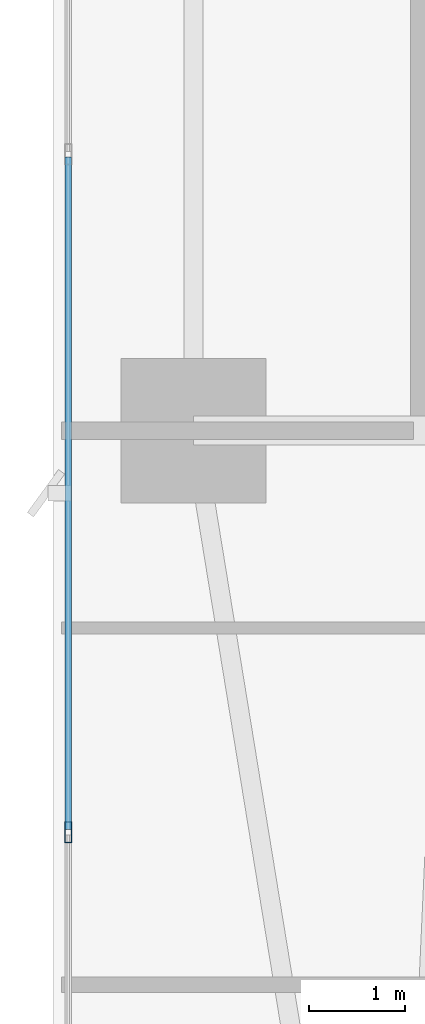
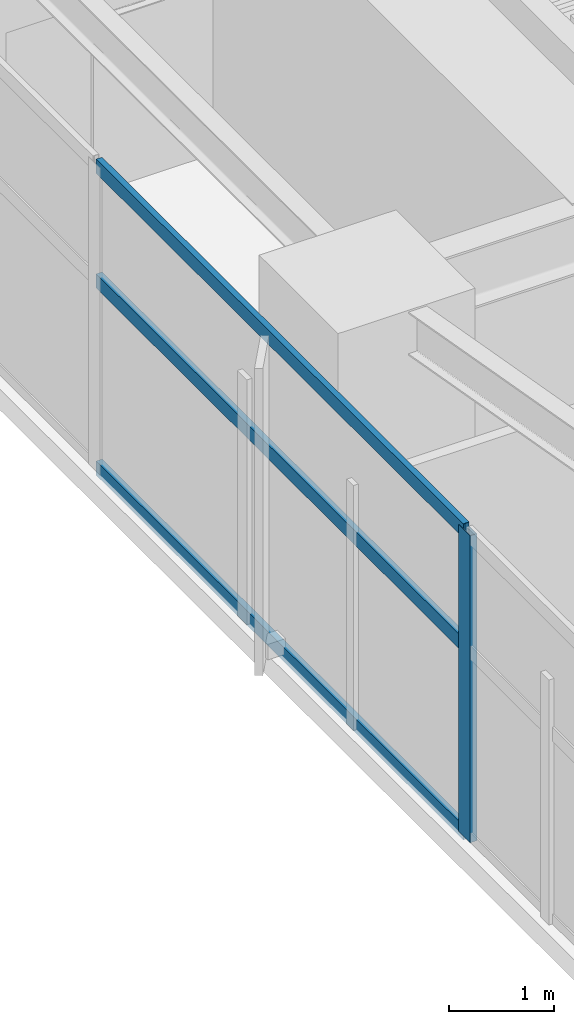
# One storey, part 4 of 29: 4 members, 1 element without a shape of its own.
"""IFC4 building model written with IfcOpenShell, lengths in metres."""

import ifcopenshell
import ifcopenshell.guid

model = None  # the IFC model being written
_history = None  # IfcOwnerHistory: only IFC2X3 demands one
_inside = {}  # id of a spatial element -> (the spatial element, [elements in it])
_under = {}  # id of a project, library or spatial element -> (it, [spatial elements below it])
_declared = {}  # id of a project -> (the project, [libraries it declares])
_typed = {}  # id of a type object -> (the type object, [elements of that type])
_made_of = {}  # id of a material, layer set ... -> (it, [elements and type objects made of it])


def new_model(schema):
    """Start an empty IFC model of exactly this schema.

    Asked for "IFC4X3", IfcOpenShell would pick the latest addendum, in which some entities
    have other attributes; the version numbers below select the first issue.
    IFC2X3 requires an IfcOwnerHistory on every rooted entity: one is made here for all.
    """
    global model, _history
    if schema == "IFC4X3":
        model = ifcopenshell.file(schema_version=(4, 3, 0, 0))
    else:
        model = ifcopenshell.file(schema=schema)
    _inside.clear()
    _under.clear()
    _declared.clear()
    _typed.clear()
    _made_of.clear()
    _history = None
    if model.schema == "IFC2X3":
        org = make("IfcOrganization", Name="unknown")
        user = make(
            "IfcPersonAndOrganization",
            ThePerson=make("IfcPerson", FamilyName="unknown"),
            TheOrganization=org,
        )
        app = make(
            "IfcApplication",
            ApplicationDeveloper=org,
            Version="unknown",
            ApplicationFullName="unknown",
            ApplicationIdentifier="unknown",
        )
        _history = make(
            "IfcOwnerHistory",
            OwningUser=user,
            OwningApplication=app,
            ChangeAction="ADDED",
            CreationDate=0,
        )
    return model


def make(cls, **values):
    """One entity of the class cls with the attributes given. An attribute that is None is left unset."""
    return model.create_entity(
        cls, **{name: value for name, value in values.items() if value is not None}
    )


def rooted(cls, **values):
    """An entity with a GlobalId (a new one), such as an element, a storey or a relation."""
    return make(cls, GlobalId=ifcopenshell.guid.new(), OwnerHistory=_history, **values)


def si_unit(unit_type, name, prefix=None):
    """IfcSIUnit, for example si_unit("LENGTHUNIT", "METRE", prefix="MILLI")."""
    return make("IfcSIUnit", UnitType=unit_type, Prefix=prefix, Name=name)


def assignment(units):
    """IfcUnitAssignment: the units of a project."""
    return None if units is None else make("IfcUnitAssignment", Units=units)


def point(xyz):
    """IfcCartesianPoint."""
    return None if xyz is None else make("IfcCartesianPoint", Coordinates=xyz)


def direction(xyz):
    """IfcDirection."""
    return None if xyz is None else make("IfcDirection", DirectionRatios=xyz)


def frame(location, z_axis=None, x_axis=None):
    """IfcAxis2Placement3D, a coordinate frame: its origin and axes. An axis left out is left unset."""
    return make(
        "IfcAxis2Placement3D",
        Location=point(location),
        Axis=direction(z_axis),
        RefDirection=direction(x_axis),
    )


def frame_2d(location, x_axis=None):
    """IfcAxis2Placement2D, a coordinate frame in the plane: its origin and x axis."""
    return make(
        "IfcAxis2Placement2D", Location=point(location), RefDirection=direction(x_axis)
    )


def origin():
    """The frame at (0, 0, 0) with its axes left unset."""
    return frame((0.0, 0.0, 0.0))


def origin_2d():
    """The frame at (0, 0) in the plane with its x axis left unset."""
    return frame_2d((0.0, 0.0))


def place(relative_to, where):
    """IfcLocalPlacement: puts the frame where relative to a parent placement (None: the world)."""
    return make(
        "IfcLocalPlacement", PlacementRelTo=relative_to, RelativePlacement=where
    )


def context(
    kind, dimensions, precision=None, world=None, true_north=None, identifier=None
):
    """IfcGeometricRepresentationContext, for example the 3D "Model" context."""
    return make(
        "IfcGeometricRepresentationContext",
        ContextIdentifier=identifier,
        ContextType=kind,
        CoordinateSpaceDimension=dimensions,
        Precision=precision,
        WorldCoordinateSystem=world,
        TrueNorth=true_north,
    )


def subcontext(parent, identifier, kind, view, scale=None):
    """IfcGeometricRepresentationSubContext, for example "Body" below "Model"."""
    return make(
        "IfcGeometricRepresentationSubContext",
        ContextIdentifier=identifier,
        ContextType=kind,
        ParentContext=parent,
        TargetScale=scale,
        TargetView=view,
    )


def project(units=None, contexts=None):
    """IfcProject with its units and contexts."""
    return rooted(
        "IfcProject",
        Name="project",
        RepresentationContexts=contexts,
        UnitsInContext=assignment(units),
    )


def spatial(cls, under=None, at=None, **own):
    """A site, building, storey or space (cls), placed at a placement, below another one or the project."""
    s = rooted(cls, ObjectPlacement=at, **own)
    if under is not None:
        _under.setdefault(under.id(), (under, []))[1].append(s)
    return s


def profile(cls, at=None, kind="AREA", **sizes):
    """A parametric profile (cls). Its sizes go by their IFC names, for example OverallWidth=200.0."""
    return make(cls, ProfileType=kind, Position=at, **sizes)


def hollow_rectangle(**sizes):
    """IfcRectangleHollowProfileDef."""
    return profile("IfcRectangleHollowProfileDef", **sizes)


def extrude(swept, where, along, depth):
    """IfcExtrudedAreaSolid: the profile swept, set in the frame where, extruded along a direction by depth."""
    return make(
        "IfcExtrudedAreaSolid",
        SweptArea=swept,
        Position=where,
        ExtrudedDirection=direction(along),
        Depth=depth,
    )


def shape(context_of_items, identifier, shape_type, items):
    """IfcShapeRepresentation: the items that make up one representation, for example the "Body"."""
    return make(
        "IfcShapeRepresentation",
        ContextOfItems=context_of_items,
        RepresentationIdentifier=identifier,
        RepresentationType=shape_type,
        Items=items,
    )


def material(Name=None, Category=None):
    """IfcMaterial."""
    return make("IfcMaterial", Name=Name, Category=Category)


def layer(
    of_material, thickness, ventilated=None, Name=None, Category=None, Priority=None
):
    """IfcMaterialLayer: one layer of a wall or slab, of a material (None: an air gap)."""
    return make(
        "IfcMaterialLayer",
        Material=of_material,
        LayerThickness=thickness,
        IsVentilated=ventilated,
        Name=Name,
        Category=Category,
        Priority=Priority,
    )


def layer_set(layers, Name=None):
    """IfcMaterialLayerSet."""
    return make("IfcMaterialLayerSet", MaterialLayers=layers, LayerSetName=Name)


def material_profile(
    of_material, cross_section, Name=None, Category=None, Priority=None
):
    """IfcMaterialProfile: a cross section and its material."""
    return make(
        "IfcMaterialProfile",
        Name=Name,
        Material=of_material,
        Profile=cross_section,
        Priority=Priority,
        Category=Category,
    )


def profile_set(profiles, Name=None, composite=None):
    """IfcMaterialProfileSet."""
    return make(
        "IfcMaterialProfileSet",
        Name=Name,
        MaterialProfiles=profiles,
        CompositeProfile=composite,
    )


def made_of(thing, what):
    """Note that an element or type object is made of a material, layer set ...; save() writes the relation."""
    if what is not None:
        _made_of.setdefault(what.id(), (what, []))[1].append(thing)
    return thing


def type_object(cls, material=None, **own):
    """A type object (cls), such as IfcWallType, which elements share."""
    return made_of(rooted(cls, **own), material)


def element(
    cls,
    number,
    at=None,
    inside=None,
    cuts=None,
    type_object=None,
    material=None,
    context=None,
    identifier="Body",
    shape_type=None,
    held_by="IfcProductDefinitionShape",
    body=None,
    shapes=None,
    **own,
):
    """One element of the class cls, such as IfcWall. Its Tag is "e" and its number.

    at: its placement. inside: the storey or other place that contains it. cuts: it is an
    opening in that element (IfcRelVoidsElement). A single representation is given by context,
    identifier, shape_type and body (its items); several are given by shapes. held_by: the class
    of the entity that holds the representations. save() writes the other relations.
    """
    e = rooted(cls, Tag="e%d" % number, ObjectPlacement=at, **own)
    if body is not None:
        shapes = [shape(context, identifier, shape_type, body)]
    if shapes is not None:
        e.Representation = make(held_by, Representations=shapes)
    if inside is not None:
        _inside.setdefault(inside.id(), (inside, []))[1].append(e)
    if cuts is not None:
        rooted(
            "IfcRelVoidsElement", RelatingBuildingElement=cuts, RelatedOpeningElement=e
        )
    if type_object is not None:
        _typed.setdefault(type_object.id(), (type_object, []))[1].append(e)
    return made_of(e, material)


def aggregate(whole, parts):
    """IfcRelAggregates: a whole, such as a stair, and the parts it consists of."""
    return rooted("IfcRelAggregates", RelatingObject=whole, RelatedObjects=parts)


def save(model, path):
    """Write the relations noted so far, then the file.

    IfcRelAggregates (storeys below a building ...), IfcRelContainedInSpatialStructure (elements
    in a storey), IfcRelDefinesByType, IfcRelAssociatesMaterial and IfcRelDeclares: one each for
    every whole, place, type object, material and project.
    """
    for whole, parts in _under.values():
        aggregate(whole, parts)
    for where, things in _inside.values():
        rooted(
            "IfcRelContainedInSpatialStructure",
            RelatedElements=things,
            RelatingStructure=where,
        )
    for kind, things in _typed.values():
        rooted("IfcRelDefinesByType", RelatedObjects=things, RelatingType=kind)
    for what, things in _made_of.values():
        rooted("IfcRelAssociatesMaterial", RelatedObjects=things, RelatingMaterial=what)
    for by, libraries in _declared.values():
        rooted("IfcRelDeclares", RelatingContext=by, RelatedDefinitions=libraries)
    model.write(path)


model = new_model("IFC4")

# Units and contexts
model_context = context("Model", 3, precision=1e-05, world=origin(), true_north=direction((0.0, 1.0)))
body_context = subcontext(model_context, "Body", "Model", "MODEL_VIEW")
ifc_project = project(units=[si_unit("LENGTHUNIT", "METRE"), si_unit("AREAUNIT", "SQUARE_METRE"), si_unit("VOLUMEUNIT", "CUBIC_METRE"), si_unit("PLANEANGLEUNIT", "RADIAN"), si_unit("MASSUNIT", "GRAM", prefix="KILO")], contexts=[model_context])

# Site, building, storey
site_placement = place(None, origin())
site = spatial("IfcSite", under=ifc_project, at=site_placement, CompositionType="ELEMENT")
building_placement = place(site_placement, origin())
building = spatial("IfcBuilding", under=site, at=building_placement, Name="Calvorn Quay Hotel", CompositionType="ELEMENT")
storey_placement = place(building_placement, frame((0.0, 0.0, 85.0)))
storey = spatial("IfcBuildingStorey", under=building, at=storey_placement, Name="L20", CompositionType="ELEMENT", Elevation=85.0)

# Curtain wall, members
ifc_material_1 = material(Name="Pale Anodised Aluminium and Low-E Glass", Category="aluminium")
ifc_layer = layer(ifc_material_1, 0.219970703125)
ifc_layer_set = layer_set([ifc_layer], Name="CW-SYS-Z1")
curtain_wall_type = type_object("IfcCurtainWallType", Name="CW-SYS-Z1", PredefinedType="NOTDEFINED", material=ifc_layer_set)
curtain_wall_placement = place(storey_placement, origin())
curtain_wall = element("IfcCurtainWall", 1, at=curtain_wall_placement, inside=storey, type_object=curtain_wall_type, Name="Tower West Curtain Wall (L20)", PredefinedType="NOTDEFINED")
ifc_material_2 = material(Name="Pale Anodised Aluminium 6063-T6", Category="aluminium")
ifc_material_profile_1 = material_profile(ifc_material_2, hollow_rectangle(XDim=0.074951171875, YDim=0.219970703125, WallThickness=0.00439453125, at=origin_2d()), Name="ALU-M220x75x4.5")
ifc_profile_set_1 = profile_set([ifc_material_profile_1], Name="Pale Anodised Aluminium 6063-T6")
member_type_1 = type_object("IfcMemberType", Name="CW-SYS-Z1-MUL", PredefinedType="MULLION", material=ifc_profile_set_1)
member_1_placement = place(storey_placement, frame((0.14990234375, 12.63330078125, 0.0), z_axis=(0.0, 0.0, 1.0), x_axis=(-1.0, 0.0, 0.0)))
member_1 = element("IfcMember", 2, at=member_1_placement, type_object=member_type_1, Name="CW-L20-W mullion 2", PredefinedType="MULLION", context=body_context, shape_type="SweptSolid", body=[
    extrude(hollow_rectangle(XDim=0.074951171875, YDim=0.219970703125, WallThickness=0.00439453125, at=origin_2d()), origin(), (0.0, 0.0, 1.0), 3.56005859375),
])
ifc_material_3 = material(Name="Pale Anodised Aluminium 6063-T6", Category="aluminium")
ifc_material_profile_2 = material_profile(ifc_material_3, hollow_rectangle(XDim=0.06494140625, YDim=0.1650390625, WallThickness=0.00341796875, at=origin_2d()), Name="ALU-T165x65x3.5")
ifc_profile_set_2 = profile_set([ifc_material_profile_2], Name="Pale Anodised Aluminium 6063-T6")
member_type_2 = type_object("IfcMemberType", Name="CW-SYS-Z1-TRN", PredefinedType="USERDEFINED", material=ifc_profile_set_2)
member_2_placement = place(storey_placement, frame((0.14990234375, 12.663330078125, 0.030029296875), z_axis=(0.0, 1.0, 0.0), x_axis=(-1.0, 0.0, 0.0)))
member_2 = element("IfcMember", 3, at=member_2_placement, type_object=member_type_2, Name="CW-L20-W transom 2.1", ObjectType="TRANSOM", PredefinedType="USERDEFINED", context=body_context, shape_type="SweptSolid", body=[
    extrude(hollow_rectangle(XDim=0.06494140625, YDim=0.1650390625, WallThickness=0.00341796875, at=origin_2d()), origin(), (0.0, 0.0, 1.0), 6.973388671875),
])
member_3_placement = place(storey_placement, frame((0.14990234375, 12.663330078125, 2.199951171875), z_axis=(0.0, 1.0, 0.0), x_axis=(-1.0, 0.0, 0.0)))
member_3 = element("IfcMember", 4, at=member_3_placement, type_object=member_type_2, Name="CW-L20-W transom 2.2", ObjectType="TRANSOM", PredefinedType="USERDEFINED", context=body_context, shape_type="SweptSolid", body=[
    extrude(hollow_rectangle(XDim=0.06494140625, YDim=0.1650390625, WallThickness=0.00341796875, at=origin_2d()), origin(), (0.0, 0.0, 1.0), 6.973388671875),
])
member_4_placement = place(storey_placement, frame((0.14990234375, 12.663330078125, 3.530029296875), z_axis=(0.0, 1.0, 0.0), x_axis=(-1.0, 0.0, 0.0)))
member_4 = element("IfcMember", 5, at=member_4_placement, type_object=member_type_2, Name="CW-L20-W transom 2.3", ObjectType="TRANSOM", PredefinedType="USERDEFINED", context=body_context, shape_type="SweptSolid", body=[
    extrude(hollow_rectangle(XDim=0.06494140625, YDim=0.1650390625, WallThickness=0.00341796875, at=origin_2d()), origin(), (0.0, 0.0, 1.0), 6.973388671875),
])
aggregate(curtain_wall, [member_1, member_2, member_3, member_4])

save(model, "model.ifc")
